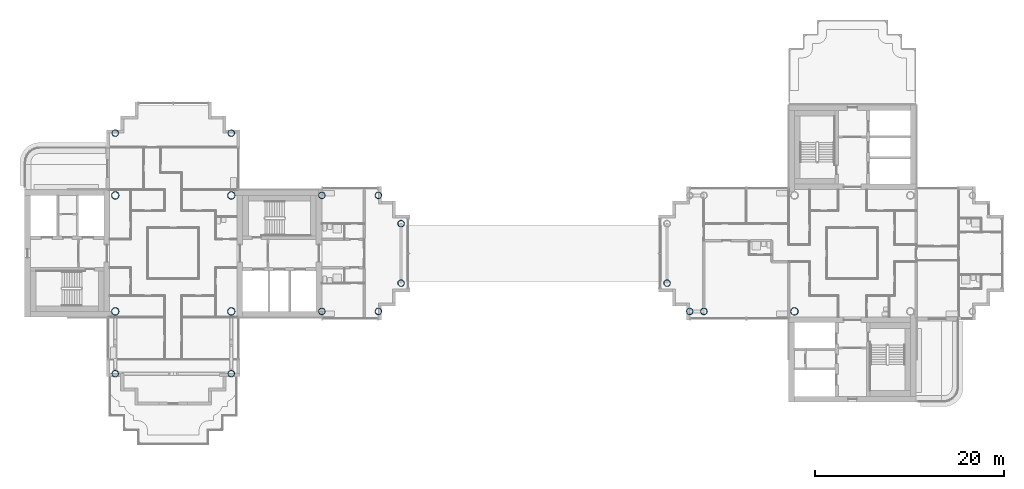
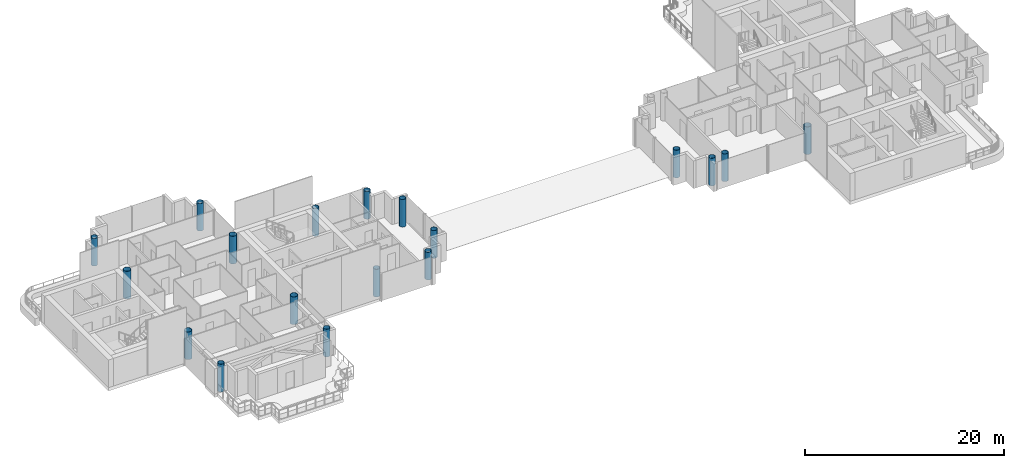
# One storey, part 1 of 19: 18 columns.
"""IFC4 building model written with IfcOpenShell, lengths in metres."""

from ifc_helpers import new_model, si_unit, direction, frame, origin, origin_2d, place, context, subcontext, project, spatial, hollow_circle, extrude, material, material_profile, profile_set, type_object, element, save


model = new_model("IFC4")

# Units and contexts
model_context = context("Model", 3, precision=1e-05, world=origin(), true_north=direction((0.0, 1.0)))
body_context = subcontext(model_context, "Body", "Model", "MODEL_VIEW")
ifc_project = project(units=[si_unit("LENGTHUNIT", "METRE"), si_unit("AREAUNIT", "SQUARE_METRE"), si_unit("VOLUMEUNIT", "CUBIC_METRE"), si_unit("PLANEANGLEUNIT", "RADIAN"), si_unit("MASSUNIT", "GRAM", prefix="KILO")], contexts=[model_context])

# Site, building, storey
site_placement = place(None, origin())
site = spatial("IfcSite", under=ifc_project, at=site_placement, CompositionType="ELEMENT")
building_placement = place(site_placement, origin())
building = spatial("IfcBuilding", under=site, at=building_placement, Name="Ipe Terrace Towers", CompositionType="ELEMENT")
storey_placement = place(building_placement, frame((0.0, 0.0, 185.800048828125)))
storey = spatial("IfcBuildingStorey", under=building, at=storey_placement, Name="L51", CompositionType="ELEMENT", Elevation=185.800048828125)

# Columns
ifc_material_1 = material(Name="Steel S355 tube with Concrete C60/75 fill", Category="concrete")
ifc_material_profile_1 = material_profile(ifc_material_1, hollow_circle(Radius=0.35009765625, WallThickness=0.02490234375, at=origin_2d()), Name="CHS-700x25")
ifc_profile_set_1 = profile_set([ifc_material_profile_1], Name="Steel S355 tube with Concrete C60/75 fill")
column_type_1 = type_object("IfcColumnType", Name="CH08 COLUMN CHS-700x25", PredefinedType="COLUMN", material=ifc_profile_set_1)
for number, where, z_axis, x_axis, name in (
    (1, (-20.25, -6.14990234375, 0.0), (0.0, 0.0, 1.0), (1.0, 0.0, 0.0), "Column T1-C-A01"),
    (2, (-20.25, 6.14990234375, 0.0), (0.0, 0.0, 1.0), (1.0, 0.0, 0.0), "Column T1-C-A02"),
    (3, (-14.25, -6.14990234375, 0.0), (0.0, 0.0, 1.0), (1.0, 0.0, 0.0), "Column T1-C-A03"),
    (4, (-14.25, 6.14990234375, 0.0), (0.0, 0.0, 1.0), (1.0, 0.0, 0.0), "Column T1-C-A04"),
    (5, (-11.85009765625, -3.14990234375, 0.0), (0.0, 0.0, 1.0), (1.0, 0.0, 0.0), "Column T1-C-A05"),
    (6, (-11.85009765625, 3.14990234375, 0.0), (0.0, 0.0, 1.0), (1.0, 0.0, 0.0), "Column T1-C-A06"),
    (7, (-29.85009765625, 12.75, 0.0), (0.0, 0.0, 1.0), (1.0, 0.0, 0.0), "Column T1-C-B01"),
    (8, (-42.14990234375, 12.75, 0.0), (0.0, 0.0, 1.0), (1.0, 0.0, 0.0), "Column T1-C-B02"),
    (9, (-42.14990234375, -12.75, 0.0), (0.0, 0.0, 1.0), (1.0, 0.0, 0.0), "Column T1-C-D01"),
    (10, (-29.85009765625, -12.75, 0.0), (0.0, 0.0, 1.0), (1.0, 0.0, 0.0), "Column T1-C-D02"),
    (11, (20.25, -6.14990234375, 0.0), (0.0, 0.0, 1.0), (1.0, 0.0, 0.0), "Column T2-C-B04"),
    (12, (18.75, -6.14990234375, 0.0), (0.0, 0.0, 1.0), (1.0, 0.0, 0.0), "Column T2-C-B06"),
    (13, (16.35009765625, -3.14990234375, 0.0), (0.0, 0.0, 1.0), (1.0, 0.0, 0.0), "Column T2-C-B08"),
):
    element("IfcColumn", number, at=place(storey_placement, frame(where, z_axis=z_axis, x_axis=x_axis)), inside=storey, type_object=column_type_1, Name=name, PredefinedType="COLUMN", context=body_context, shape_type="SweptSolid", body=[
        extrude(hollow_circle(Radius=0.35009765625, WallThickness=0.02490234375, at=origin_2d()), origin(), (0.0, 0.0, 1.0), 3.39990234375),
    ])
ifc_material_2 = material(Name="Steel S355 tube with Concrete C60/75 fill", Category="concrete")
ifc_material_profile_2 = material_profile(ifc_material_2, hollow_circle(Radius=0.39990234375, WallThickness=0.028076171875, at=origin_2d()), Name="CHS-800x28")
ifc_profile_set_2 = profile_set([ifc_material_profile_2], Name="Steel S355 tube with Concrete C60/75 fill")
column_type_2 = type_object("IfcColumnType", Name="CH09 COLUMN CHS-800x28", PredefinedType="COLUMN", material=ifc_profile_set_2)
for number, where, z_axis, x_axis, name in (
    (14, (-42.14990234375, -6.14990234375, 0.0), (0.0, 0.0, 1.0), (1.0, 0.0, 0.0), "Column T1-C-E01"),
    (15, (-29.85009765625, -6.14990234375, 0.0), (0.0, 0.0, 1.0), (1.0, 0.0, 0.0), "Column T1-C-E02"),
    (16, (-29.85009765625, 6.14990234375, 0.0), (0.0, 0.0, 1.0), (1.0, 0.0, 0.0), "Column T1-C-E03"),
    (17, (-42.14990234375, 6.14990234375, 0.0), (0.0, 0.0, 1.0), (1.0, 0.0, 0.0), "Column T1-C-E04"),
    (18, (29.85009765625, -6.14990234375, 0.0), (0.0, 0.0, 1.0), (1.0, 0.0, 0.0), "Column T2-C-E04"),
):
    element("IfcColumn", number, at=place(storey_placement, frame(where, z_axis=z_axis, x_axis=x_axis)), inside=storey, type_object=column_type_2, Name=name, PredefinedType="COLUMN", context=body_context, shape_type="SweptSolid", body=[
        extrude(hollow_circle(Radius=0.39990234375, WallThickness=0.028076171875, at=origin_2d()), origin(), (0.0, 0.0, 1.0), 3.39990234375),
    ])

save(model, "model.ifc")
